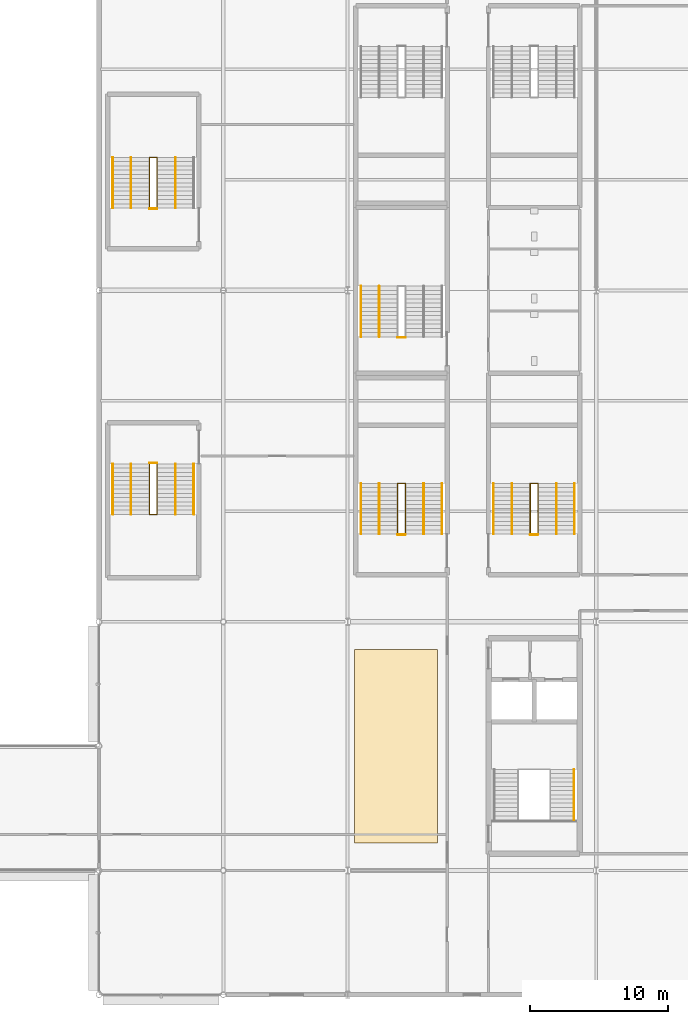
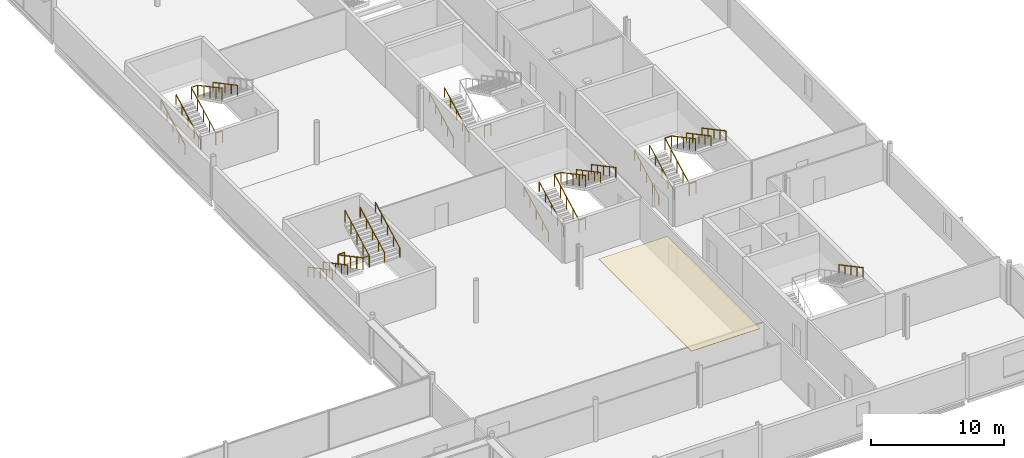
# One storey, part 92 of 96: 27 railings, 1 covering.
"""IFC4 building model written with IfcOpenShell, lengths in metres."""

from ifc_helpers import new_model, si_unit, direction, frame, origin, origin_2d, place, context, subcontext, project, spatial, polyline, circle, outline, extrude, material, layer, layer_set, type_object, element, save


model = new_model("IFC4")

# Units and contexts
model_context = context("Model", 3, precision=1e-05, world=origin(), true_north=direction((0.0, 1.0)))
body_context = subcontext(model_context, "Body", "Model", "MODEL_VIEW")
ifc_project = project(units=[si_unit("LENGTHUNIT", "METRE"), si_unit("AREAUNIT", "SQUARE_METRE"), si_unit("VOLUMEUNIT", "CUBIC_METRE"), si_unit("PLANEANGLEUNIT", "RADIAN"), si_unit("MASSUNIT", "GRAM", prefix="KILO")], contexts=[model_context])

# Site, building, storey
site_placement = place(None, origin())
site = spatial("IfcSite", under=ifc_project, at=site_placement, CompositionType="ELEMENT")
building_placement = place(site_placement, origin())
building = spatial("IfcBuilding", under=site, at=building_placement, Name="Kisiwana Market Hall", CompositionType="ELEMENT")
storey_placement = place(building_placement, frame((0.0, 0.0, 25.5)))
storey = spatial("IfcBuildingStorey", under=building, at=storey_placement, Name="L05", CompositionType="ELEMENT", Elevation=25.5)

# Covering
ifc_material_1 = material(Name="Mineral-fibre acoustic ceiling board")
ifc_layer = layer(ifc_material_1, 0.02490234375)
ifc_layer_set = layer_set([ifc_layer], Name="COV-CEIL-AC")
covering_type = type_object("IfcCoveringType", Name="COV-CEIL-AC", PredefinedType="CEILING", material=ifc_layer_set)
covering_placement = place(storey_placement, frame((0.0, 0.0, 3.6298828125)))
element("IfcCovering", 1, at=covering_placement, inside=storey, type_object=covering_type, Name="Acoustic ceiling grid L05-016", PredefinedType="CEILING", context=body_context, shape_type="SweptSolid", body=[
    extrude(outline(polyline([(171.5, 20.0), (177.5, 20.0), (177.5, 34.0), (171.5, 34.0), (171.5, 20.0)])), origin(), (0.0, 0.0, 1.0), 0.025146484375),
])

# Railings
ifc_material_2 = material(Name="Steel S275", Category="steel")
railing_type_1 = type_object("IfcRailingType", Name="RL-GUARD-1100", PredefinedType="GUARDRAIL", material=ifc_material_2)
railing_1_placement = place(storey_placement, frame((184.219970703125, 42.360107421875, 0.0)))
element("IfcRailing", 2, at=railing_1_placement, inside=storey, type_object=railing_type_1, Name="Stair ST-E3-L05 inner-well guardrail (RL-879)", PredefinedType="GUARDRAIL", context=body_context, shape_type="SweptSolid", body=[
    extrude(circle(Radius=0.02392578125, at=origin_2d()), frame((0.0, 0.0, 1.076171875), z_axis=(0.0, 0.88255331184, 0.47021234752), x_axis=(-1.0, 0.0, 0.0)), (0.0, 0.0, 1.0), 4.14697265625),
    extrude(circle(Radius=0.02392578125, at=origin_2d()), frame((0.0, 3.659912109375, 3.02587890625), z_axis=(1.0, 0.0, 0.0), x_axis=(0.0, 1.0, 0.0)), (0.0, 0.0, 1.0), 0.56005859375),
    extrude(circle(Radius=0.02392578125, at=origin_2d()), frame((0.56005859375, 3.659912109375, 3.02587890625), z_axis=(0.0, -0.88255331184, 0.47021234752), x_axis=(1.0, 0.0, 0.0)), (0.0, 0.0, 1.0), 4.14697265625),
    extrude(circle(Radius=0.02099609375, at=origin_2d()), origin(), (0.0, 0.0, 1.0), 1.052001953125),
    extrude(circle(Radius=0.02099609375, at=origin_2d()), frame((0.0, 0.9150390625, 0.487548828125)), (0.0, 0.0, 1.0), 1.052001953125),
    extrude(circle(Radius=0.02099609375, at=origin_2d()), frame((0.0, 1.830078125, 0.97509765625)), (0.0, 0.0, 1.0), 1.052001953125),
    extrude(circle(Radius=0.02099609375, at=origin_2d()), frame((0.0, 2.744873046875, 1.46240234375)), (0.0, 0.0, 1.0), 1.052001953125),
    extrude(circle(Radius=0.02099609375, at=origin_2d()), frame((0.0, 3.659912109375, 1.949951171875)), (0.0, 0.0, 1.0), 1.052001953125),
    extrude(circle(Radius=0.02099609375, at=origin_2d()), frame((0.56005859375, 3.659912109375, 1.949951171875)), (0.0, 0.0, 1.0), 1.052001953125),
    extrude(circle(Radius=0.02099609375, at=origin_2d()), frame((0.56005859375, 2.744873046875, 2.4375)), (0.0, 0.0, 1.0), 1.052001953125),
    extrude(circle(Radius=0.02099609375, at=origin_2d()), frame((0.56005859375, 1.830078125, 2.9248046875)), (0.0, 0.0, 1.0), 1.052001953125),
    extrude(circle(Radius=0.02099609375, at=origin_2d()), frame((0.56005859375, 0.9150390625, 3.412353515625)), (0.0, 0.0, 1.0), 1.052001953125),
    extrude(circle(Radius=0.02099609375, at=origin_2d()), frame((0.56005859375, 0.0, 3.89990234375)), (0.0, 0.0, 1.0), 1.052001953125),
])
railing_2_placement = place(storey_placement, frame((184.219970703125, 42.31005859375, 0.0)))
element("IfcRailing", 3, at=railing_2_placement, inside=storey, type_object=railing_type_1, Name="Stair ST-E3-L05 landing edge guardrail (RL-884)", PredefinedType="GUARDRAIL", context=body_context, shape_type="SweptSolid", body=[
    extrude(circle(Radius=0.02392578125, at=origin_2d()), frame((0.0, 0.0, 1.076171875), z_axis=(1.0, 0.0, 0.0), x_axis=(0.0, 1.0, 0.0)), (0.0, 0.0, 1.0), 0.56005859375),
    extrude(circle(Radius=0.02099609375, at=origin_2d()), origin(), (0.0, 0.0, 1.0), 1.052001953125),
    extrude(circle(Radius=0.02099609375, at=origin_2d()), frame((0.56005859375, 0.0, 0.0)), (0.0, 0.0, 1.0), 1.052001953125),
])
railing_3_placement = place(storey_placement, frame((174.6201171875, 42.360107421875, 0.0)))
element("IfcRailing", 4, at=railing_3_placement, inside=storey, type_object=railing_type_1, Name="Stair ST-E7-L05 inner-well guardrail (RL-897)", PredefinedType="GUARDRAIL", context=body_context, shape_type="SweptSolid", body=[
    extrude(circle(Radius=0.02392578125, at=origin_2d()), frame((0.0, 0.0, 1.076171875), z_axis=(0.0, 0.88255331184, 0.47021234752), x_axis=(-1.0, 0.0, 0.0)), (0.0, 0.0, 1.0), 4.14697265625),
    extrude(circle(Radius=0.02392578125, at=origin_2d()), frame((0.0, 3.659912109375, 3.02587890625), z_axis=(1.0, 0.0, 0.0), x_axis=(0.0, 1.0, 0.0)), (0.0, 0.0, 1.0), 0.559814453125),
    extrude(circle(Radius=0.02392578125, at=origin_2d()), frame((0.559814453125, 3.659912109375, 3.02587890625), z_axis=(0.0, -0.88255331184, 0.47021234752), x_axis=(1.0, 0.0, 0.0)), (0.0, 0.0, 1.0), 4.14697265625),
    extrude(circle(Radius=0.02099609375, at=origin_2d()), origin(), (0.0, 0.0, 1.0), 1.052001953125),
    extrude(circle(Radius=0.02099609375, at=origin_2d()), frame((0.0, 0.9150390625, 0.487548828125)), (0.0, 0.0, 1.0), 1.052001953125),
    extrude(circle(Radius=0.02099609375, at=origin_2d()), frame((0.0, 1.830078125, 0.97509765625)), (0.0, 0.0, 1.0), 1.052001953125),
    extrude(circle(Radius=0.02099609375, at=origin_2d()), frame((0.0, 2.744873046875, 1.46240234375)), (0.0, 0.0, 1.0), 1.052001953125),
    extrude(circle(Radius=0.02099609375, at=origin_2d()), frame((0.0, 3.659912109375, 1.949951171875)), (0.0, 0.0, 1.0), 1.052001953125),
    extrude(circle(Radius=0.02099609375, at=origin_2d()), frame((0.559814453125, 3.659912109375, 1.949951171875)), (0.0, 0.0, 1.0), 1.052001953125),
    extrude(circle(Radius=0.02099609375, at=origin_2d()), frame((0.559814453125, 2.744873046875, 2.4375)), (0.0, 0.0, 1.0), 1.052001953125),
    extrude(circle(Radius=0.02099609375, at=origin_2d()), frame((0.559814453125, 1.830078125, 2.9248046875)), (0.0, 0.0, 1.0), 1.052001953125),
    extrude(circle(Radius=0.02099609375, at=origin_2d()), frame((0.559814453125, 0.9150390625, 3.412353515625)), (0.0, 0.0, 1.0), 1.052001953125),
    extrude(circle(Radius=0.02099609375, at=origin_2d()), frame((0.559814453125, 0.0, 3.89990234375)), (0.0, 0.0, 1.0), 1.052001953125),
])
railing_4_placement = place(storey_placement, frame((174.6201171875, 42.31005859375, 0.0)))
element("IfcRailing", 5, at=railing_4_placement, inside=storey, type_object=railing_type_1, Name="Stair ST-E7-L05 landing edge guardrail (RL-902)", PredefinedType="GUARDRAIL", context=body_context, shape_type="SweptSolid", body=[
    extrude(circle(Radius=0.02392578125, at=origin_2d()), frame((0.0, 0.0, 1.076171875), z_axis=(1.0, 0.0, 0.0), x_axis=(0.0, 1.0, 0.0)), (0.0, 0.0, 1.0), 0.559814453125),
    extrude(circle(Radius=0.02099609375, at=origin_2d()), origin(), (0.0, 0.0, 1.0), 1.052001953125),
    extrude(circle(Radius=0.02099609375, at=origin_2d()), frame((0.559814453125, 0.0, 0.0)), (0.0, 0.0, 1.0), 1.052001953125),
])
railing_5_placement = place(storey_placement, frame((156.64990234375, 47.43994140625, 0.0)))
element("IfcRailing", 6, at=railing_5_placement, inside=storey, type_object=railing_type_1, Name="Stair ST-E9-L05 inner-well guardrail (RL-921)", PredefinedType="GUARDRAIL", context=body_context, shape_type="SweptSolid", body=[
    extrude(circle(Radius=0.02392578125, at=origin_2d()), frame((0.0, 0.0, 1.076171875), z_axis=(0.0, -0.88255331184, 0.47021234752), x_axis=(1.0, 0.0, 0.0)), (0.0, 0.0, 1.0), 4.14697265625),
    extrude(circle(Radius=0.02392578125, at=origin_2d()), frame((0.0, -3.659912109375, 3.02587890625), z_axis=(1.0, 0.0, 0.0), x_axis=(0.0, 1.0, 0.0)), (0.0, 0.0, 1.0), 0.56005859375),
    extrude(circle(Radius=0.02392578125, at=origin_2d()), frame((0.56005859375, -3.659912109375, 3.02587890625), z_axis=(0.0, 0.88255331184, 0.47021234752), x_axis=(-1.0, 0.0, 0.0)), (0.0, 0.0, 1.0), 4.14697265625),
    extrude(circle(Radius=0.02099609375, at=origin_2d()), origin(), (0.0, 0.0, 1.0), 1.052001953125),
    extrude(circle(Radius=0.02099609375, at=origin_2d()), frame((0.0, -0.9150390625, 0.487548828125)), (0.0, 0.0, 1.0), 1.052001953125),
    extrude(circle(Radius=0.02099609375, at=origin_2d()), frame((0.0, -1.830078125, 0.97509765625)), (0.0, 0.0, 1.0), 1.052001953125),
    extrude(circle(Radius=0.02099609375, at=origin_2d()), frame((0.0, -2.744873046875, 1.46240234375)), (0.0, 0.0, 1.0), 1.052001953125),
    extrude(circle(Radius=0.02099609375, at=origin_2d()), frame((0.0, -3.659912109375, 1.949951171875)), (0.0, 0.0, 1.0), 1.052001953125),
    extrude(circle(Radius=0.02099609375, at=origin_2d()), frame((0.56005859375, -3.659912109375, 1.949951171875)), (0.0, 0.0, 1.0), 1.052001953125),
    extrude(circle(Radius=0.02099609375, at=origin_2d()), frame((0.56005859375, -2.744873046875, 2.4375)), (0.0, 0.0, 1.0), 1.052001953125),
    extrude(circle(Radius=0.02099609375, at=origin_2d()), frame((0.56005859375, -1.830078125, 2.9248046875)), (0.0, 0.0, 1.0), 1.052001953125),
    extrude(circle(Radius=0.02099609375, at=origin_2d()), frame((0.56005859375, -0.9150390625, 3.412353515625)), (0.0, 0.0, 1.0), 1.052001953125),
    extrude(circle(Radius=0.02099609375, at=origin_2d()), frame((0.56005859375, 0.0, 3.89990234375)), (0.0, 0.0, 1.0), 1.052001953125),
])
railing_6_placement = place(storey_placement, frame((156.64990234375, 47.489990234375, 0.0)))
element("IfcRailing", 7, at=railing_6_placement, inside=storey, type_object=railing_type_1, Name="Stair ST-E9-L05 landing edge guardrail (RL-926)", PredefinedType="GUARDRAIL", context=body_context, shape_type="SweptSolid", body=[
    extrude(circle(Radius=0.02392578125, at=origin_2d()), frame((0.0, 0.0, 1.076171875), z_axis=(1.0, 0.0, 0.0), x_axis=(0.0, 1.0, 0.0)), (0.0, 0.0, 1.0), 0.56005859375),
    extrude(circle(Radius=0.02099609375, at=origin_2d()), origin(), (0.0, 0.0, 1.0), 1.052001953125),
    extrude(circle(Radius=0.02099609375, at=origin_2d()), frame((0.56005859375, 0.0, 0.0)), (0.0, 0.0, 1.0), 1.052001953125),
])
railing_7_placement = place(storey_placement, frame((156.64990234375, 65.9599609375, 0.0)))
element("IfcRailing", 8, at=railing_7_placement, inside=storey, type_object=railing_type_1, Name="Stair ST-E10-L05 inner-well guardrail (RL-933)", PredefinedType="GUARDRAIL", context=body_context, shape_type="SweptSolid", body=[
    extrude(circle(Radius=0.02392578125, at=origin_2d()), frame((0.0, 0.0, 1.076171875), z_axis=(0.0, 0.882566327451, 0.470187917379), x_axis=(-1.0, 0.0, 0.0)), (0.0, 0.0, 1.0), 4.147216796875),
    extrude(circle(Radius=0.02392578125, at=origin_2d()), frame((0.0, 3.66015625, 3.02587890625), z_axis=(1.0, 0.0, 0.0), x_axis=(0.0, 1.0, 0.0)), (0.0, 0.0, 1.0), 0.56005859375),
    extrude(circle(Radius=0.02392578125, at=origin_2d()), frame((0.56005859375, 3.66015625, 3.02587890625), z_axis=(0.0, -0.882566327451, 0.470187917379), x_axis=(1.0, 0.0, 0.0)), (0.0, 0.0, 1.0), 4.147216796875),
    extrude(circle(Radius=0.02099609375, at=origin_2d()), origin(), (0.0, 0.0, 1.0), 1.052001953125),
    extrude(circle(Radius=0.02099609375, at=origin_2d()), frame((0.0, 0.9150390625, 0.487548828125)), (0.0, 0.0, 1.0), 1.052001953125),
    extrude(circle(Radius=0.02099609375, at=origin_2d()), frame((0.0, 1.830078125, 0.97509765625)), (0.0, 0.0, 1.0), 1.052001953125),
    extrude(circle(Radius=0.02099609375, at=origin_2d()), frame((0.0, 2.7451171875, 1.46240234375)), (0.0, 0.0, 1.0), 1.052001953125),
    extrude(circle(Radius=0.02099609375, at=origin_2d()), frame((0.0, 3.66015625, 1.949951171875)), (0.0, 0.0, 1.0), 1.052001953125),
    extrude(circle(Radius=0.02099609375, at=origin_2d()), frame((0.56005859375, 3.66015625, 1.949951171875)), (0.0, 0.0, 1.0), 1.052001953125),
    extrude(circle(Radius=0.02099609375, at=origin_2d()), frame((0.56005859375, 2.7451171875, 2.4375)), (0.0, 0.0, 1.0), 1.052001953125),
    extrude(circle(Radius=0.02099609375, at=origin_2d()), frame((0.56005859375, 1.830078125, 2.9248046875)), (0.0, 0.0, 1.0), 1.052001953125),
    extrude(circle(Radius=0.02099609375, at=origin_2d()), frame((0.56005859375, 0.9150390625, 3.412353515625)), (0.0, 0.0, 1.0), 1.052001953125),
    extrude(circle(Radius=0.02099609375, at=origin_2d()), frame((0.56005859375, 0.0, 3.89990234375)), (0.0, 0.0, 1.0), 1.052001953125),
])
railing_8_placement = place(storey_placement, frame((156.64990234375, 65.909912109375, 0.0)))
element("IfcRailing", 9, at=railing_8_placement, inside=storey, type_object=railing_type_1, Name="Stair ST-E10-L05 landing edge guardrail (RL-938)", PredefinedType="GUARDRAIL", context=body_context, shape_type="SweptSolid", body=[
    extrude(circle(Radius=0.02392578125, at=origin_2d()), frame((0.0, 0.0, 1.076171875), z_axis=(1.0, 0.0, 0.0), x_axis=(0.0, 1.0, 0.0)), (0.0, 0.0, 1.0), 0.56005859375),
    extrude(circle(Radius=0.02099609375, at=origin_2d()), origin(), (0.0, 0.0, 1.0), 1.052001953125),
    extrude(circle(Radius=0.02099609375, at=origin_2d()), frame((0.56005859375, 0.0, 0.0)), (0.0, 0.0, 1.0), 1.052001953125),
])
railing_9_placement = place(storey_placement, frame((174.6201171875, 56.590087890625, 0.0)))
element("IfcRailing", 10, at=railing_9_placement, inside=storey, type_object=railing_type_1, Name="Stair ST-E5-L05 landing edge guardrail (RL-950)", PredefinedType="GUARDRAIL", context=body_context, shape_type="SweptSolid", body=[
    extrude(circle(Radius=0.02392578125, at=origin_2d()), frame((0.0, 0.0, 1.076171875), z_axis=(1.0, 0.0, 0.0), x_axis=(0.0, 1.0, 0.0)), (0.0, 0.0, 1.0), 0.559814453125),
    extrude(circle(Radius=0.02099609375, at=origin_2d()), origin(), (0.0, 0.0, 1.0), 1.052001953125),
    extrude(circle(Radius=0.02099609375, at=origin_2d()), frame((0.559814453125, 0.0, 0.0)), (0.0, 0.0, 1.0), 1.052001953125),
])
ifc_material_3 = material(Name="Steel S275", Category="steel")
railing_type_2 = type_object("IfcRailingType", Name="RL-HAND-900", PredefinedType="HANDRAIL", material=ifc_material_3)
railing_10_placement = place(storey_placement, frame((187.389892578125, 25.3095703125, 1.949951171875)))
element("IfcRailing", 11, at=railing_10_placement, inside=storey, type_object=railing_type_2, Name="Stair ST-E2-L05 flight 2 handrail (RL-861)", PredefinedType="HANDRAIL", context=body_context, shape_type="SweptSolid", body=[
    extrude(circle(Radius=0.02392578125, at=origin_2d()), frame((0.0, 0.0, 0.8759765625), z_axis=(0.0, -0.882566327451, 0.470187917379), x_axis=(1.0, 0.0, 0.0)), (0.0, 0.0, 1.0), 4.147216796875),
    extrude(circle(Radius=0.02099609375, at=origin_2d()), origin(), (0.0, 0.0, 1.0), 0.851806640625),
    extrude(circle(Radius=0.02099609375, at=origin_2d()), frame((0.0, -0.9150390625, 0.487548828125)), (0.0, 0.0, 1.0), 0.851806640625),
    extrude(circle(Radius=0.02099609375, at=origin_2d()), frame((0.0, -1.830078125, 0.97509765625)), (0.0, 0.0, 1.0), 0.851806640625),
    extrude(circle(Radius=0.02099609375, at=origin_2d()), frame((0.0, -2.7451171875, 1.46240234375)), (0.0, 0.0, 1.0), 0.851806640625),
    extrude(circle(Radius=0.02099609375, at=origin_2d()), frame((0.0, -3.66015625, 1.949951171875)), (0.0, 0.0, 1.0), 0.851806640625),
])
railing_11_placement = place(storey_placement, frame((181.570068359375, 42.360107421875, 0.0)))
element("IfcRailing", 12, at=railing_11_placement, inside=storey, type_object=railing_type_2, Name="Stair ST-E3-L05 flight 1 handrail (RL-880)", PredefinedType="HANDRAIL", context=body_context, shape_type="SweptSolid", body=[
    extrude(circle(Radius=0.02392578125, at=origin_2d()), frame((0.0, 0.0, 0.8759765625), z_axis=(0.0, 0.88255331184, 0.47021234752), x_axis=(-1.0, 0.0, 0.0)), (0.0, 0.0, 1.0), 4.14697265625),
    extrude(circle(Radius=0.02099609375, at=origin_2d()), origin(), (0.0, 0.0, 1.0), 0.851806640625),
    extrude(circle(Radius=0.02099609375, at=origin_2d()), frame((0.0, 0.9150390625, 0.487548828125)), (0.0, 0.0, 1.0), 0.851806640625),
    extrude(circle(Radius=0.02099609375, at=origin_2d()), frame((0.0, 1.830078125, 0.97509765625)), (0.0, 0.0, 1.0), 0.851806640625),
    extrude(circle(Radius=0.02099609375, at=origin_2d()), frame((0.0, 2.744873046875, 1.46240234375)), (0.0, 0.0, 1.0), 0.851806640625),
    extrude(circle(Radius=0.02099609375, at=origin_2d()), frame((0.0, 3.659912109375, 1.949951171875)), (0.0, 0.0, 1.0), 0.851806640625),
])
railing_12_placement = place(storey_placement, frame((187.429931640625, 46.02001953125, 1.949951171875)))
element("IfcRailing", 13, at=railing_12_placement, inside=storey, type_object=railing_type_2, Name="Stair ST-E3-L05 flight 2 handrail (RL-881)", PredefinedType="HANDRAIL", context=body_context, shape_type="SweptSolid", body=[
    extrude(circle(Radius=0.02392578125, at=origin_2d()), frame((0.0, 0.0, 0.8759765625), z_axis=(0.0, -0.88255331184, 0.47021234752), x_axis=(1.0, 0.0, 0.0)), (0.0, 0.0, 1.0), 4.14697265625),
    extrude(circle(Radius=0.02099609375, at=origin_2d()), origin(), (0.0, 0.0, 1.0), 0.851806640625),
    extrude(circle(Radius=0.02099609375, at=origin_2d()), frame((0.0, -0.9150390625, 0.487548828125)), (0.0, 0.0, 1.0), 0.851806640625),
    extrude(circle(Radius=0.02099609375, at=origin_2d()), frame((0.0, -1.830078125, 0.97509765625)), (0.0, 0.0, 1.0), 0.851806640625),
    extrude(circle(Radius=0.02099609375, at=origin_2d()), frame((0.0, -2.744873046875, 1.46240234375)), (0.0, 0.0, 1.0), 0.851806640625),
    extrude(circle(Radius=0.02099609375, at=origin_2d()), frame((0.0, -3.659912109375, 1.949951171875)), (0.0, 0.0, 1.0), 0.851806640625),
])
railing_13_placement = place(storey_placement, frame((182.889892578125, 42.360107421875, 0.0)))
element("IfcRailing", 14, at=railing_13_placement, inside=storey, type_object=railing_type_2, Name="Stair ST-E3-L05 flight 1 intermediate handrail (RL-882)", PredefinedType="HANDRAIL", context=body_context, shape_type="SweptSolid", body=[
    extrude(circle(Radius=0.02392578125, at=origin_2d()), frame((0.0, 0.0, 0.8759765625), z_axis=(0.0, 0.88255331184, 0.47021234752), x_axis=(-1.0, 0.0, 0.0)), (0.0, 0.0, 1.0), 4.14697265625),
    extrude(circle(Radius=0.02099609375, at=origin_2d()), origin(), (0.0, 0.0, 1.0), 0.851806640625),
    extrude(circle(Radius=0.02099609375, at=origin_2d()), frame((0.0, 0.9150390625, 0.487548828125)), (0.0, 0.0, 1.0), 0.851806640625),
    extrude(circle(Radius=0.02099609375, at=origin_2d()), frame((0.0, 1.830078125, 0.97509765625)), (0.0, 0.0, 1.0), 0.851806640625),
    extrude(circle(Radius=0.02099609375, at=origin_2d()), frame((0.0, 2.744873046875, 1.46240234375)), (0.0, 0.0, 1.0), 0.851806640625),
    extrude(circle(Radius=0.02099609375, at=origin_2d()), frame((0.0, 3.659912109375, 1.949951171875)), (0.0, 0.0, 1.0), 0.851806640625),
])
railing_14_placement = place(storey_placement, frame((186.110107421875, 46.02001953125, 1.949951171875)))
element("IfcRailing", 15, at=railing_14_placement, inside=storey, type_object=railing_type_2, Name="Stair ST-E3-L05 flight 2 intermediate handrail (RL-883)", PredefinedType="HANDRAIL", context=body_context, shape_type="SweptSolid", body=[
    extrude(circle(Radius=0.02392578125, at=origin_2d()), frame((0.0, 0.0, 0.8759765625), z_axis=(0.0, -0.88255331184, 0.47021234752), x_axis=(1.0, 0.0, 0.0)), (0.0, 0.0, 1.0), 4.14697265625),
    extrude(circle(Radius=0.02099609375, at=origin_2d()), origin(), (0.0, 0.0, 1.0), 0.851806640625),
    extrude(circle(Radius=0.02099609375, at=origin_2d()), frame((0.0, -0.9150390625, 0.487548828125)), (0.0, 0.0, 1.0), 0.851806640625),
    extrude(circle(Radius=0.02099609375, at=origin_2d()), frame((0.0, -1.830078125, 0.97509765625)), (0.0, 0.0, 1.0), 0.851806640625),
    extrude(circle(Radius=0.02099609375, at=origin_2d()), frame((0.0, -2.744873046875, 1.46240234375)), (0.0, 0.0, 1.0), 0.851806640625),
    extrude(circle(Radius=0.02099609375, at=origin_2d()), frame((0.0, -3.659912109375, 1.949951171875)), (0.0, 0.0, 1.0), 0.851806640625),
])
railing_15_placement = place(storey_placement, frame((171.969970703125, 42.360107421875, 0.0)))
element("IfcRailing", 16, at=railing_15_placement, inside=storey, type_object=railing_type_2, Name="Stair ST-E7-L05 flight 1 handrail (RL-898)", PredefinedType="HANDRAIL", context=body_context, shape_type="SweptSolid", body=[
    extrude(circle(Radius=0.02392578125, at=origin_2d()), frame((0.0, 0.0, 0.8759765625), z_axis=(0.0, 0.88255331184, 0.47021234752), x_axis=(-1.0, 0.0, 0.0)), (0.0, 0.0, 1.0), 4.14697265625),
    extrude(circle(Radius=0.02099609375, at=origin_2d()), origin(), (0.0, 0.0, 1.0), 0.851806640625),
    extrude(circle(Radius=0.02099609375, at=origin_2d()), frame((0.0, 0.9150390625, 0.487548828125)), (0.0, 0.0, 1.0), 0.851806640625),
    extrude(circle(Radius=0.02099609375, at=origin_2d()), frame((0.0, 1.830078125, 0.97509765625)), (0.0, 0.0, 1.0), 0.851806640625),
    extrude(circle(Radius=0.02099609375, at=origin_2d()), frame((0.0, 2.744873046875, 1.46240234375)), (0.0, 0.0, 1.0), 0.851806640625),
    extrude(circle(Radius=0.02099609375, at=origin_2d()), frame((0.0, 3.659912109375, 1.949951171875)), (0.0, 0.0, 1.0), 0.851806640625),
])
railing_16_placement = place(storey_placement, frame((177.830078125, 46.02001953125, 1.949951171875)))
element("IfcRailing", 17, at=railing_16_placement, inside=storey, type_object=railing_type_2, Name="Stair ST-E7-L05 flight 2 handrail (RL-899)", PredefinedType="HANDRAIL", context=body_context, shape_type="SweptSolid", body=[
    extrude(circle(Radius=0.02392578125, at=origin_2d()), frame((0.0, 0.0, 0.8759765625), z_axis=(0.0, -0.88255331184, 0.47021234752), x_axis=(1.0, 0.0, 0.0)), (0.0, 0.0, 1.0), 4.14697265625),
    extrude(circle(Radius=0.02099609375, at=origin_2d()), origin(), (0.0, 0.0, 1.0), 0.851806640625),
    extrude(circle(Radius=0.02099609375, at=origin_2d()), frame((0.0, -0.9150390625, 0.487548828125)), (0.0, 0.0, 1.0), 0.851806640625),
    extrude(circle(Radius=0.02099609375, at=origin_2d()), frame((0.0, -1.830078125, 0.97509765625)), (0.0, 0.0, 1.0), 0.851806640625),
    extrude(circle(Radius=0.02099609375, at=origin_2d()), frame((0.0, -2.744873046875, 1.46240234375)), (0.0, 0.0, 1.0), 0.851806640625),
    extrude(circle(Radius=0.02099609375, at=origin_2d()), frame((0.0, -3.659912109375, 1.949951171875)), (0.0, 0.0, 1.0), 0.851806640625),
])
railing_17_placement = place(storey_placement, frame((173.2900390625, 42.360107421875, 0.0)))
element("IfcRailing", 18, at=railing_17_placement, inside=storey, type_object=railing_type_2, Name="Stair ST-E7-L05 flight 1 intermediate handrail (RL-900)", PredefinedType="HANDRAIL", context=body_context, shape_type="SweptSolid", body=[
    extrude(circle(Radius=0.02392578125, at=origin_2d()), frame((0.0, 0.0, 0.8759765625), z_axis=(0.0, 0.88255331184, 0.47021234752), x_axis=(-1.0, 0.0, 0.0)), (0.0, 0.0, 1.0), 4.14697265625),
    extrude(circle(Radius=0.02099609375, at=origin_2d()), origin(), (0.0, 0.0, 1.0), 0.851806640625),
    extrude(circle(Radius=0.02099609375, at=origin_2d()), frame((0.0, 0.9150390625, 0.487548828125)), (0.0, 0.0, 1.0), 0.851806640625),
    extrude(circle(Radius=0.02099609375, at=origin_2d()), frame((0.0, 1.830078125, 0.97509765625)), (0.0, 0.0, 1.0), 0.851806640625),
    extrude(circle(Radius=0.02099609375, at=origin_2d()), frame((0.0, 2.744873046875, 1.46240234375)), (0.0, 0.0, 1.0), 0.851806640625),
    extrude(circle(Radius=0.02099609375, at=origin_2d()), frame((0.0, 3.659912109375, 1.949951171875)), (0.0, 0.0, 1.0), 0.851806640625),
])
for number, where, name in (
    (19, (176.510009765625, 46.02001953125, 1.949951171875), "Stair ST-E7-L05 flight 2 intermediate handrail (RL-901)"),
    (20, (154.0, 47.43994140625, 0.0), "Stair ST-E9-L05 flight 1 handrail (RL-922)"),
):
    element("IfcRailing", number, at=place(storey_placement, frame(where)), inside=storey, type_object=railing_type_2, Name=name, PredefinedType="HANDRAIL", context=body_context, shape_type="SweptSolid", body=[
        extrude(circle(Radius=0.02392578125, at=origin_2d()), frame((0.0, 0.0, 0.8759765625), z_axis=(0.0, -0.88255331184, 0.47021234752), x_axis=(1.0, 0.0, 0.0)), (0.0, 0.0, 1.0), 4.14697265625),
        extrude(circle(Radius=0.02099609375, at=origin_2d()), origin(), (0.0, 0.0, 1.0), 0.851806640625),
        extrude(circle(Radius=0.02099609375, at=origin_2d()), frame((0.0, -0.9150390625, 0.487548828125)), (0.0, 0.0, 1.0), 0.851806640625),
        extrude(circle(Radius=0.02099609375, at=origin_2d()), frame((0.0, -1.830078125, 0.97509765625)), (0.0, 0.0, 1.0), 0.851806640625),
        extrude(circle(Radius=0.02099609375, at=origin_2d()), frame((0.0, -2.744873046875, 1.46240234375)), (0.0, 0.0, 1.0), 0.851806640625),
        extrude(circle(Radius=0.02099609375, at=origin_2d()), frame((0.0, -3.659912109375, 1.949951171875)), (0.0, 0.0, 1.0), 0.851806640625),
    ])
railing_18_placement = place(storey_placement, frame((159.860107421875, 43.780029296875, 1.949951171875)))
element("IfcRailing", 21, at=railing_18_placement, inside=storey, type_object=railing_type_2, Name="Stair ST-E9-L05 flight 2 handrail (RL-923)", PredefinedType="HANDRAIL", context=body_context, shape_type="SweptSolid", body=[
    extrude(circle(Radius=0.02392578125, at=origin_2d()), frame((0.0, 0.0, 0.8759765625), z_axis=(0.0, 0.88255331184, 0.47021234752), x_axis=(-1.0, 0.0, 0.0)), (0.0, 0.0, 1.0), 4.14697265625),
    extrude(circle(Radius=0.02099609375, at=origin_2d()), origin(), (0.0, 0.0, 1.0), 0.851806640625),
    extrude(circle(Radius=0.02099609375, at=origin_2d()), frame((0.0, 0.9150390625, 0.487548828125)), (0.0, 0.0, 1.0), 0.851806640625),
    extrude(circle(Radius=0.02099609375, at=origin_2d()), frame((0.0, 1.830078125, 0.97509765625)), (0.0, 0.0, 1.0), 0.851806640625),
    extrude(circle(Radius=0.02099609375, at=origin_2d()), frame((0.0, 2.744873046875, 1.46240234375)), (0.0, 0.0, 1.0), 0.851806640625),
    extrude(circle(Radius=0.02099609375, at=origin_2d()), frame((0.0, 3.659912109375, 1.949951171875)), (0.0, 0.0, 1.0), 0.851806640625),
])
railing_19_placement = place(storey_placement, frame((155.320068359375, 47.43994140625, 0.0)))
element("IfcRailing", 22, at=railing_19_placement, inside=storey, type_object=railing_type_2, Name="Stair ST-E9-L05 flight 1 intermediate handrail (RL-924)", PredefinedType="HANDRAIL", context=body_context, shape_type="SweptSolid", body=[
    extrude(circle(Radius=0.02392578125, at=origin_2d()), frame((0.0, 0.0, 0.8759765625), z_axis=(0.0, -0.88255331184, 0.47021234752), x_axis=(1.0, 0.0, 0.0)), (0.0, 0.0, 1.0), 4.14697265625),
    extrude(circle(Radius=0.02099609375, at=origin_2d()), origin(), (0.0, 0.0, 1.0), 0.851806640625),
    extrude(circle(Radius=0.02099609375, at=origin_2d()), frame((0.0, -0.9150390625, 0.487548828125)), (0.0, 0.0, 1.0), 0.851806640625),
    extrude(circle(Radius=0.02099609375, at=origin_2d()), frame((0.0, -1.830078125, 0.97509765625)), (0.0, 0.0, 1.0), 0.851806640625),
    extrude(circle(Radius=0.02099609375, at=origin_2d()), frame((0.0, -2.744873046875, 1.46240234375)), (0.0, 0.0, 1.0), 0.851806640625),
    extrude(circle(Radius=0.02099609375, at=origin_2d()), frame((0.0, -3.659912109375, 1.949951171875)), (0.0, 0.0, 1.0), 0.851806640625),
])
railing_20_placement = place(storey_placement, frame((158.5400390625, 43.780029296875, 1.949951171875)))
element("IfcRailing", 23, at=railing_20_placement, inside=storey, type_object=railing_type_2, Name="Stair ST-E9-L05 flight 2 intermediate handrail (RL-925)", PredefinedType="HANDRAIL", context=body_context, shape_type="SweptSolid", body=[
    extrude(circle(Radius=0.02392578125, at=origin_2d()), frame((0.0, 0.0, 0.8759765625), z_axis=(0.0, 0.88255331184, 0.47021234752), x_axis=(-1.0, 0.0, 0.0)), (0.0, 0.0, 1.0), 4.14697265625),
    extrude(circle(Radius=0.02099609375, at=origin_2d()), origin(), (0.0, 0.0, 1.0), 0.851806640625),
    extrude(circle(Radius=0.02099609375, at=origin_2d()), frame((0.0, 0.9150390625, 0.487548828125)), (0.0, 0.0, 1.0), 0.851806640625),
    extrude(circle(Radius=0.02099609375, at=origin_2d()), frame((0.0, 1.830078125, 0.97509765625)), (0.0, 0.0, 1.0), 0.851806640625),
    extrude(circle(Radius=0.02099609375, at=origin_2d()), frame((0.0, 2.744873046875, 1.46240234375)), (0.0, 0.0, 1.0), 0.851806640625),
    extrude(circle(Radius=0.02099609375, at=origin_2d()), frame((0.0, 3.659912109375, 1.949951171875)), (0.0, 0.0, 1.0), 0.851806640625),
])
for number, where, name in (
    (24, (154.0, 65.9599609375, 0.0), "Stair ST-E10-L05 flight 1 handrail (RL-934)"),
    (25, (155.320068359375, 65.9599609375, 0.0), "Stair ST-E10-L05 flight 1 intermediate handrail (RL-936)"),
):
    element("IfcRailing", number, at=place(storey_placement, frame(where)), inside=storey, type_object=railing_type_2, Name=name, PredefinedType="HANDRAIL", context=body_context, shape_type="SweptSolid", body=[
        extrude(circle(Radius=0.02392578125, at=origin_2d()), frame((0.0, 0.0, 0.8759765625), z_axis=(0.0, 0.882566327451, 0.470187917379), x_axis=(-1.0, 0.0, 0.0)), (0.0, 0.0, 1.0), 4.147216796875),
        extrude(circle(Radius=0.02099609375, at=origin_2d()), origin(), (0.0, 0.0, 1.0), 0.851806640625),
        extrude(circle(Radius=0.02099609375, at=origin_2d()), frame((0.0, 0.9150390625, 0.487548828125)), (0.0, 0.0, 1.0), 0.851806640625),
        extrude(circle(Radius=0.02099609375, at=origin_2d()), frame((0.0, 1.830078125, 0.97509765625)), (0.0, 0.0, 1.0), 0.851806640625),
        extrude(circle(Radius=0.02099609375, at=origin_2d()), frame((0.0, 2.7451171875, 1.46240234375)), (0.0, 0.0, 1.0), 0.851806640625),
        extrude(circle(Radius=0.02099609375, at=origin_2d()), frame((0.0, 3.66015625, 1.949951171875)), (0.0, 0.0, 1.0), 0.851806640625),
    ])
railing_21_placement = place(storey_placement, frame((158.5400390625, 69.6201171875, 1.949951171875)))
element("IfcRailing", 26, at=railing_21_placement, inside=storey, type_object=railing_type_2, Name="Stair ST-E10-L05 flight 2 intermediate handrail (RL-937)", PredefinedType="HANDRAIL", context=body_context, shape_type="SweptSolid", body=[
    extrude(circle(Radius=0.02392578125, at=origin_2d()), frame((0.0, 0.0, 0.8759765625), z_axis=(0.0, -0.882566327451, 0.470187917379), x_axis=(1.0, 0.0, 0.0)), (0.0, 0.0, 1.0), 4.147216796875),
    extrude(circle(Radius=0.02099609375, at=origin_2d()), origin(), (0.0, 0.0, 1.0), 0.851806640625),
    extrude(circle(Radius=0.02099609375, at=origin_2d()), frame((0.0, -0.9150390625, 0.487548828125)), (0.0, 0.0, 1.0), 0.851806640625),
    extrude(circle(Radius=0.02099609375, at=origin_2d()), frame((0.0, -1.830078125, 0.97509765625)), (0.0, 0.0, 1.0), 0.851806640625),
    extrude(circle(Radius=0.02099609375, at=origin_2d()), frame((0.0, -2.7451171875, 1.46240234375)), (0.0, 0.0, 1.0), 0.851806640625),
    extrude(circle(Radius=0.02099609375, at=origin_2d()), frame((0.0, -3.66015625, 1.949951171875)), (0.0, 0.0, 1.0), 0.851806640625),
])
for number, where, name in (
    (27, (171.969970703125, 56.639892578125, 0.0), "Stair ST-E5-L05 flight 1 handrail (RL-946)"),
    (28, (173.2900390625, 56.639892578125, 0.0), "Stair ST-E5-L05 flight 1 intermediate handrail (RL-948)"),
):
    element("IfcRailing", number, at=place(storey_placement, frame(where)), inside=storey, type_object=railing_type_2, Name=name, PredefinedType="HANDRAIL", context=body_context, shape_type="SweptSolid", body=[
        extrude(circle(Radius=0.02392578125, at=origin_2d()), frame((0.0, 0.0, 0.8759765625), z_axis=(0.0, 0.882566327451, 0.470187917379), x_axis=(-1.0, 0.0, 0.0)), (0.0, 0.0, 1.0), 4.147216796875),
        extrude(circle(Radius=0.02099609375, at=origin_2d()), origin(), (0.0, 0.0, 1.0), 0.851806640625),
        extrude(circle(Radius=0.02099609375, at=origin_2d()), frame((0.0, 0.9150390625, 0.487548828125)), (0.0, 0.0, 1.0), 0.851806640625),
        extrude(circle(Radius=0.02099609375, at=origin_2d()), frame((0.0, 1.830078125, 0.97509765625)), (0.0, 0.0, 1.0), 0.851806640625),
        extrude(circle(Radius=0.02099609375, at=origin_2d()), frame((0.0, 2.7451171875, 1.46240234375)), (0.0, 0.0, 1.0), 0.851806640625),
        extrude(circle(Radius=0.02099609375, at=origin_2d()), frame((0.0, 3.66015625, 1.949951171875)), (0.0, 0.0, 1.0), 0.851806640625),
    ])

save(model, "model.ifc")
